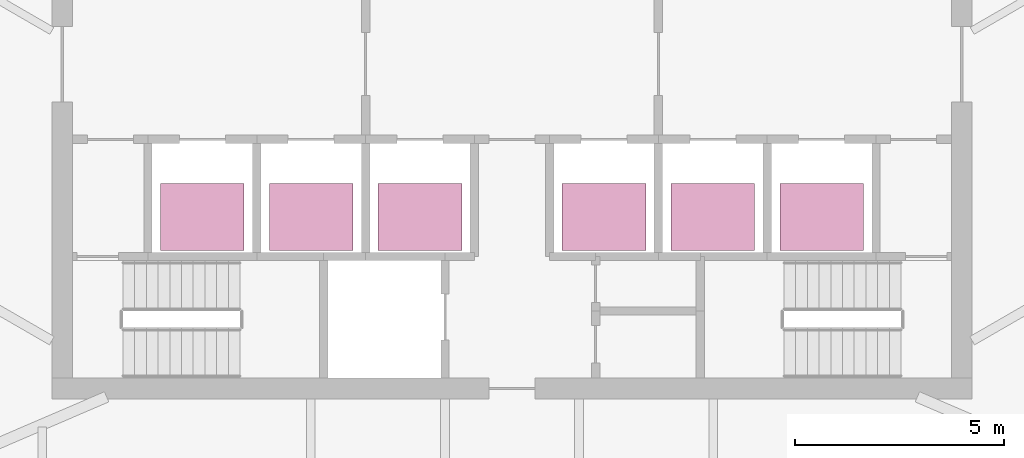
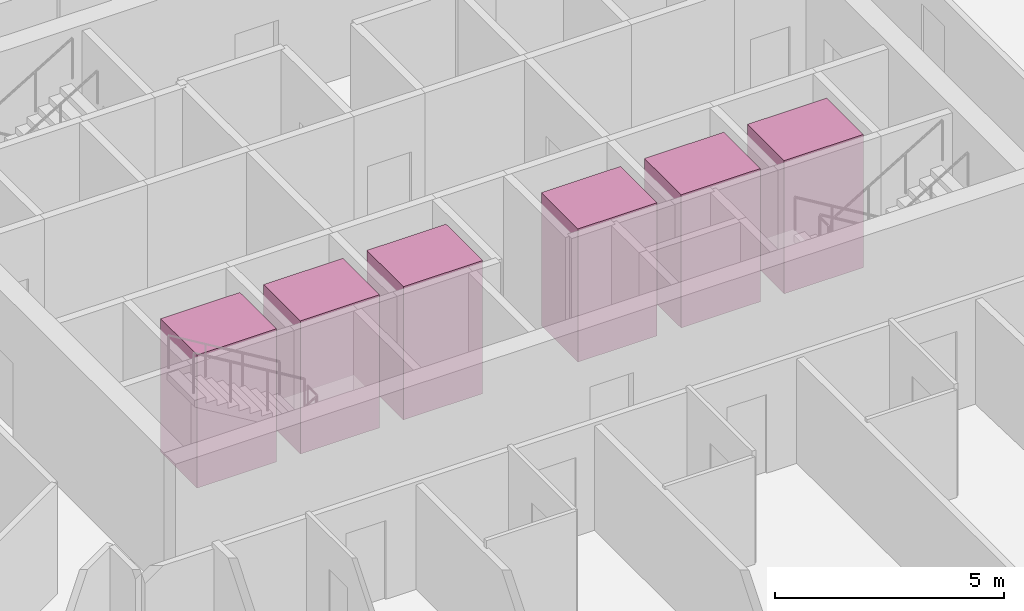
# One storey, part 17 of 17: 6 transport elements.
"""IFC4 building model written with IfcOpenShell, lengths in metres."""

from ifc_helpers import new_model, si_unit, direction, frame, origin, origin_2d, place, context, subcontext, project, spatial, rectangle, extrude, material, type_object, element, save


model = new_model("IFC4")

# Units and contexts
model_context = context("Model", 3, precision=1e-05, world=origin(), true_north=direction((0.0, 1.0)))
body_context = subcontext(model_context, "Body", "Model", "MODEL_VIEW")
ifc_project = project(units=[si_unit("LENGTHUNIT", "METRE"), si_unit("AREAUNIT", "SQUARE_METRE"), si_unit("VOLUMEUNIT", "CUBIC_METRE"), si_unit("PLANEANGLEUNIT", "RADIAN"), si_unit("MASSUNIT", "GRAM", prefix="KILO")], contexts=[model_context])

# Site, building, storey
site_placement = place(None, origin())
site = spatial("IfcSite", under=ifc_project, at=site_placement, CompositionType="ELEMENT")
building_placement = place(site_placement, origin())
building = spatial("IfcBuilding", under=site, at=building_placement, Name="Sierra Prisma Convention Tower", CompositionType="ELEMENT")
storey_placement = place(building_placement, frame((0.0, 0.0, 99.800048828125)))
storey = spatial("IfcBuildingStorey", under=building, at=storey_placement, Name="L21", CompositionType="ELEMENT", Elevation=99.800048828125)

# Transport elements
ifc_material = material(Name="Stainless steel", Category="steel")
transport_element_type = type_object("IfcTransportElementType", Name="Lift car hotel 2000x1600 1600 kg", PredefinedType="ELEVATOR", material=ifc_material)
for number, where, z_axis, x_axis, name in (
    (1, (-7.39990234375, -3.64990234375, 0.0), (0.0, 0.0, 1.0), (1.0, 0.0, 0.0), "Lift HT1"),
    (2, (-4.800048828125, -3.64990234375, 0.0), (0.0, 0.0, 1.0), (1.0, 0.0, 0.0), "Lift HT2"),
    (3, (-2.199951171875, -3.64990234375, 0.0), (0.0, 0.0, 1.0), (1.0, 0.0, 0.0), "Lift HT3"),
    (4, (2.199951171875, -3.64990234375, 0.0), (0.0, 0.0, 1.0), (1.0, 0.0, 0.0), "Lift HT4"),
    (5, (4.800048828125, -3.64990234375, 0.0), (0.0, 0.0, 1.0), (1.0, 0.0, 0.0), "Lift HT5"),
    (6, (7.39990234375, -3.64990234375, 0.0), (0.0, 0.0, 1.0), (1.0, 0.0, 0.0), "Lift HT6"),
):
    element("IfcTransportElement", number, at=place(storey_placement, frame(where, z_axis=z_axis, x_axis=x_axis)), inside=storey, type_object=transport_element_type, Name=name, PredefinedType="ELEVATOR", context=body_context, shape_type="SweptSolid", body=[
        extrude(rectangle(XDim=2.0, YDim=1.60009765625, at=origin_2d()), origin(), (0.0, 0.0, 1.0), 3.550048828125),
    ])

save(model, "model.ifc")
